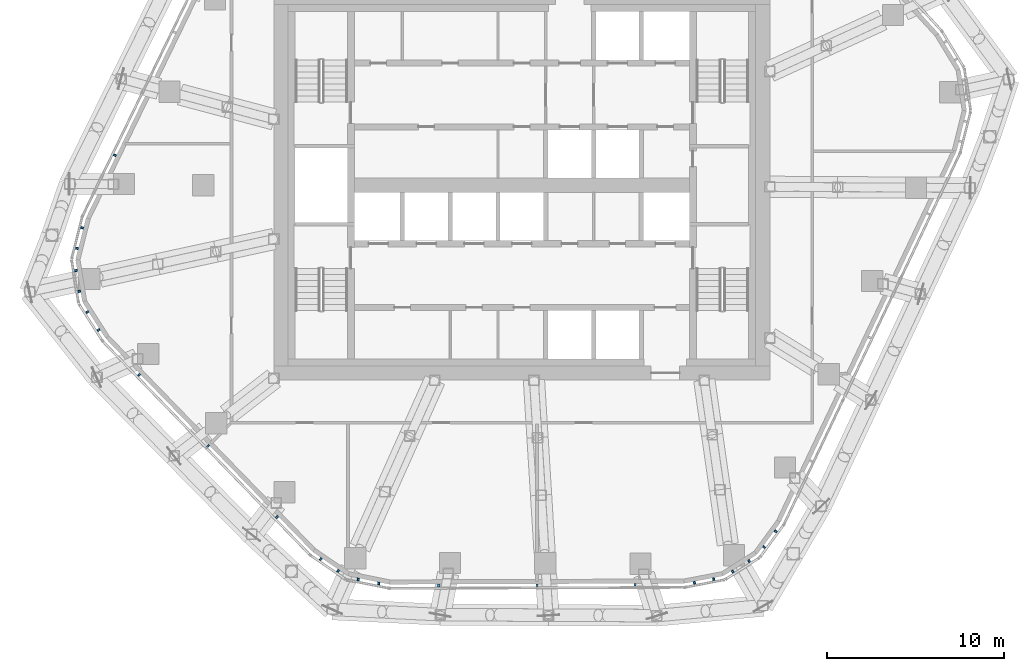
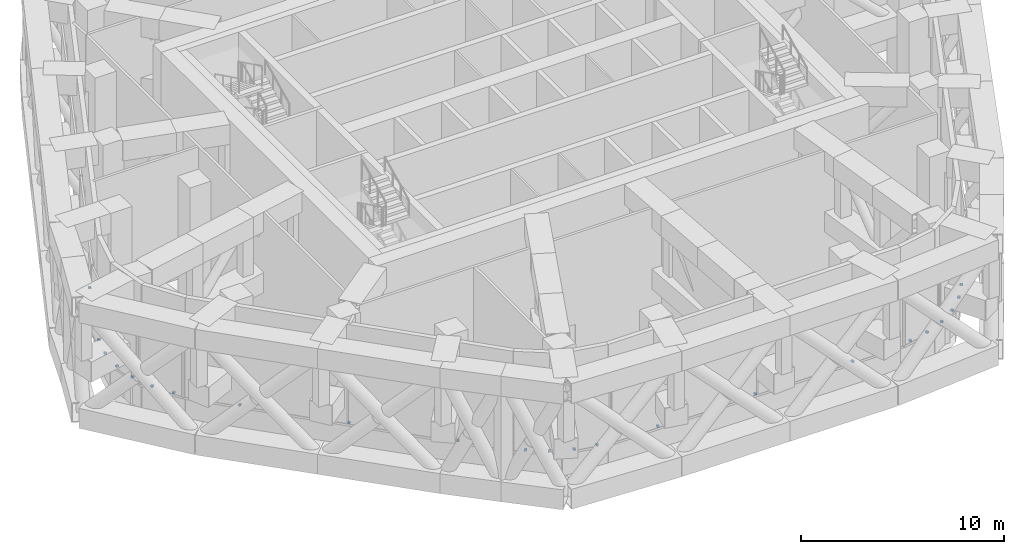
# One storey, part 15 of 21: 23 discrete accessories, 6 elements without a shape of their own.
"""IFC4 building model written with IfcOpenShell, lengths in metres."""

from ifc_helpers import new_model, si_unit, direction, frame, origin, origin_2d, place, context, subcontext, project, spatial, rectangle, extrude, material, layer, layer_set, type_object, element, aggregate, save


model = new_model("IFC4")

# Units and contexts
model_context = context("Model", 3, precision=1e-05, world=origin(), true_north=direction((0.0, 1.0)))
body_context = subcontext(model_context, "Body", "Model", "MODEL_VIEW")
ifc_project = project(units=[si_unit("LENGTHUNIT", "METRE"), si_unit("AREAUNIT", "SQUARE_METRE"), si_unit("VOLUMEUNIT", "CUBIC_METRE"), si_unit("PLANEANGLEUNIT", "RADIAN"), si_unit("MASSUNIT", "GRAM", prefix="KILO")], contexts=[model_context])

# Site, building, storey
site_placement = place(None, origin())
site = spatial("IfcSite", under=ifc_project, at=site_placement, CompositionType="ELEMENT")
building_placement = place(site_placement, origin())
building = spatial("IfcBuilding", under=site, at=building_placement, Name="Dongbaek Canopy Tower", CompositionType="ELEMENT")
storey_placement = place(building_placement, frame((0.0, 0.0, 220.60009765625)))
storey = spatial("IfcBuildingStorey", under=building, at=storey_placement, Name="L46", CompositionType="ELEMENT", Elevation=220.60009765625)

# Curtain wall, discrete accessory
ifc_material_1 = material(Name="Aluminium 6063-T6 pale anodised", Category="aluminium")
ifc_layer = layer(ifc_material_1, 0.14990234375)
ifc_layer_set = layer_set([ifc_layer], Name="CW-7 louvre curtain wall")
curtain_wall_type = type_object("IfcCurtainWallType", Name="CW-7 louvre curtain wall", PredefinedType="NOTDEFINED", material=ifc_layer_set)
curtain_wall_1_placement = place(storey_placement, origin())
curtain_wall_1 = element("IfcCurtainWall", 1, at=curtain_wall_1_placement, inside=storey, type_object=curtain_wall_type, Name="CW-7 louvre wall L46 F2", PredefinedType="NOTDEFINED")
ifc_material_2 = material(Name="Galvanised steel S355 bracket", Category="steel")
discrete_accessory_type = type_object("IfcDiscreteAccessoryType", Name="Louvre bracket BR1", PredefinedType="BRACKET", material=ifc_material_2)
discrete_accessory_1_placement = place(storey_placement, frame((-22.982421875, 1.69287109375, 1.664794921875), z_axis=(0.0, 0.0, 1.0), x_axis=(-0.436767146018, -0.899574599552, 0.0)))
discrete_accessory_1 = element("IfcDiscreteAccessory", 2, at=discrete_accessory_1_placement, type_object=discrete_accessory_type, Name="Louvre bracket L46 F2.1.3", PredefinedType="BRACKET", context=body_context, shape_type="SweptSolid", body=[
    extrude(rectangle(XDim=0.1201171875, YDim=0.14990234375, at=origin_2d()), origin(), (0.0, 0.0, 1.0), 0.10009765625),
])
aggregate(curtain_wall_1, [discrete_accessory_1])

# Curtain wall, discrete accessories
curtain_wall_2_placement = place(storey_placement, origin())
curtain_wall_2 = element("IfcCurtainWall", 3, at=curtain_wall_2_placement, inside=storey, type_object=curtain_wall_type, Name="CW-7 louvre wall L46 K3", PredefinedType="NOTDEFINED")
discrete_accessory_2_placement = place(storey_placement, frame((-24.830322265625, -2.400146484375, 1.664794921875), z_axis=(0.0, 0.0, 1.0), x_axis=(-0.245743178216, -0.969334973247, 0.0)))
discrete_accessory_2 = element("IfcDiscreteAccessory", 4, at=discrete_accessory_2_placement, type_object=discrete_accessory_type, Name="Louvre bracket L46 K3.1.1", PredefinedType="BRACKET", context=body_context, shape_type="SweptSolid", body=[
    extrude(rectangle(XDim=0.1201171875, YDim=0.14990234375, at=origin_2d()), origin(), (0.0, 0.0, 1.0), 0.10009765625),
])
discrete_accessory_3_placement = place(storey_placement, frame((-25.125, -3.56201171875, 1.664794921875), z_axis=(0.0, 0.0, 1.0), x_axis=(-0.245743178216, -0.969334973247, 0.0)))
discrete_accessory_3 = element("IfcDiscreteAccessory", 5, at=discrete_accessory_3_placement, type_object=discrete_accessory_type, Name="Louvre bracket L46 K3.1.2", PredefinedType="BRACKET", context=body_context, shape_type="SweptSolid", body=[
    extrude(rectangle(XDim=0.1201171875, YDim=0.14990234375, at=origin_2d()), origin(), (0.0, 0.0, 1.0), 0.10009765625),
])
discrete_accessory_4_placement = place(storey_placement, frame((-25.18115234375, -4.812744140625, 1.664794921875), z_axis=(0.0, 0.0, 1.0), x_axis=(0.158473685908, -0.987363201094, 0.0)))
discrete_accessory_4 = element("IfcDiscreteAccessory", 6, at=discrete_accessory_4_placement, type_object=discrete_accessory_type, Name="Louvre bracket L46 K3.2.1", PredefinedType="BRACKET", context=body_context, shape_type="SweptSolid", body=[
    extrude(rectangle(XDim=0.1201171875, YDim=0.14990234375, at=origin_2d()), origin(), (0.0, 0.0, 1.0), 0.10009765625),
])
discrete_accessory_5_placement = place(storey_placement, frame((-24.9921875, -5.99072265625, 1.664794921875), z_axis=(0.0, 0.0, 1.0), x_axis=(0.158473685908, -0.987363201094, 0.0)))
discrete_accessory_5 = element("IfcDiscreteAccessory", 7, at=discrete_accessory_5_placement, type_object=discrete_accessory_type, Name="Louvre bracket L46 K3.2.2", PredefinedType="BRACKET", context=body_context, shape_type="SweptSolid", body=[
    extrude(rectangle(XDim=0.1201171875, YDim=0.14990234375, at=origin_2d()), origin(), (0.0, 0.0, 1.0), 0.10009765625),
])
discrete_accessory_6_placement = place(storey_placement, frame((-24.547119140625, -7.1611328125, 1.664794921875), z_axis=(0.0, 0.0, 1.0), x_axis=(0.536745826074, -0.843743988537, 0.0)))
discrete_accessory_6 = element("IfcDiscreteAccessory", 8, at=discrete_accessory_6_placement, type_object=discrete_accessory_type, Name="Louvre bracket L46 K3.3.1", PredefinedType="BRACKET", context=body_context, shape_type="SweptSolid", body=[
    extrude(rectangle(XDim=0.1201171875, YDim=0.14990234375, at=origin_2d()), origin(), (0.0, 0.0, 1.0), 0.10009765625),
])
discrete_accessory_7_placement = place(storey_placement, frame((-23.904052734375, -8.172119140625, 1.664794921875), z_axis=(0.0, 0.0, 1.0), x_axis=(0.536745826074, -0.843743988537, 0.0)))
discrete_accessory_7 = element("IfcDiscreteAccessory", 9, at=discrete_accessory_7_placement, type_object=discrete_accessory_type, Name="Louvre bracket L46 K3.3.2", PredefinedType="BRACKET", context=body_context, shape_type="SweptSolid", body=[
    extrude(rectangle(XDim=0.1201171875, YDim=0.14990234375, at=origin_2d()), origin(), (0.0, 0.0, 1.0), 0.10009765625),
])
aggregate(curtain_wall_2, [discrete_accessory_2, discrete_accessory_3, discrete_accessory_4, discrete_accessory_5, discrete_accessory_6, discrete_accessory_7])

curtain_wall_3_placement = place(storey_placement, origin())
curtain_wall_3 = element("IfcCurtainWall", 10, at=curtain_wall_3_placement, inside=storey, type_object=curtain_wall_type, Name="CW-7 louvre wall L46 F3", PredefinedType="NOTDEFINED")
discrete_accessory_8_placement = place(storey_placement, frame((-21.610595703125, -10.716064453125, 1.664794921875), z_axis=(0.0, 0.0, 1.0), x_axis=(0.696344113915, -0.717708070886, 0.0)))
discrete_accessory_8 = element("IfcDiscreteAccessory", 11, at=discrete_accessory_8_placement, type_object=discrete_accessory_type, Name="Louvre bracket L46 F3.1.1", PredefinedType="BRACKET", context=body_context, shape_type="SweptSolid", body=[
    extrude(rectangle(XDim=0.1201171875, YDim=0.14990234375, at=origin_2d()), origin(), (0.0, 0.0, 1.0), 0.10009765625),
])
discrete_accessory_9_placement = place(storey_placement, frame((-17.7177734375, -14.728271484375, 1.664794921875), z_axis=(0.0, 0.0, 1.0), x_axis=(0.696344113915, -0.717708070886, 0.0)))
discrete_accessory_9 = element("IfcDiscreteAccessory", 12, at=discrete_accessory_9_placement, type_object=discrete_accessory_type, Name="Louvre bracket L46 F3.1.2", PredefinedType="BRACKET", context=body_context, shape_type="SweptSolid", body=[
    extrude(rectangle(XDim=0.1201171875, YDim=0.14990234375, at=origin_2d()), origin(), (0.0, 0.0, 1.0), 0.10009765625),
])
discrete_accessory_10_placement = place(storey_placement, frame((-13.82470703125, -18.74072265625, 1.664794921875), z_axis=(0.0, 0.0, 1.0), x_axis=(0.696344113915, -0.717708070886, 0.0)))
discrete_accessory_10 = element("IfcDiscreteAccessory", 13, at=discrete_accessory_10_placement, type_object=discrete_accessory_type, Name="Louvre bracket L46 F3.1.3", PredefinedType="BRACKET", context=body_context, shape_type="SweptSolid", body=[
    extrude(rectangle(XDim=0.1201171875, YDim=0.14990234375, at=origin_2d()), origin(), (0.0, 0.0, 1.0), 0.10009765625),
])
aggregate(curtain_wall_3, [discrete_accessory_8, discrete_accessory_9, discrete_accessory_10])

curtain_wall_4_placement = place(storey_placement, origin())
curtain_wall_4 = element("IfcCurtainWall", 14, at=curtain_wall_4_placement, inside=storey, type_object=curtain_wall_type, Name="CW-7 louvre wall L46 K4", PredefinedType="NOTDEFINED")
discrete_accessory_11_placement = place(storey_placement, frame((-11.359619140625, -21.1064453125, 1.664794921875), z_axis=(0.0, 0.0, 1.0), x_axis=(0.825559931255, -0.564314451264, 0.0)))
discrete_accessory_11 = element("IfcDiscreteAccessory", 15, at=discrete_accessory_11_placement, type_object=discrete_accessory_type, Name="Louvre bracket L46 K4.1.1", PredefinedType="BRACKET", context=body_context, shape_type="SweptSolid", body=[
    extrude(rectangle(XDim=0.1201171875, YDim=0.14990234375, at=origin_2d()), origin(), (0.0, 0.0, 1.0), 0.10009765625),
])
discrete_accessory_12_placement = place(storey_placement, frame((-10.3837890625, -21.7734375, 1.664794921875), z_axis=(0.0, 0.0, 1.0), x_axis=(0.825559931255, -0.564314451264, 0.0)))
discrete_accessory_12 = element("IfcDiscreteAccessory", 16, at=discrete_accessory_12_placement, type_object=discrete_accessory_type, Name="Louvre bracket L46 K4.1.2", PredefinedType="BRACKET", context=body_context, shape_type="SweptSolid", body=[
    extrude(rectangle(XDim=0.1201171875, YDim=0.14990234375, at=origin_2d()), origin(), (0.0, 0.0, 1.0), 0.10009765625),
])
discrete_accessory_13_placement = place(storey_placement, frame((-9.24267578125, -22.254150390625, 1.664794921875), z_axis=(0.0, 0.0, 1.0), x_axis=(0.98050183526, -0.196509926089, 0.0)))
discrete_accessory_13 = element("IfcDiscreteAccessory", 17, at=discrete_accessory_13_placement, type_object=discrete_accessory_type, Name="Louvre bracket L46 K4.2.1", PredefinedType="BRACKET", context=body_context, shape_type="SweptSolid", body=[
    extrude(rectangle(XDim=0.1201171875, YDim=0.14990234375, at=origin_2d()), origin(), (0.0, 0.0, 1.0), 0.10009765625),
])
discrete_accessory_14_placement = place(storey_placement, frame((-8.08349609375, -22.486328125, 1.664794921875), z_axis=(0.0, 0.0, 1.0), x_axis=(0.98050183526, -0.196509926089, 0.0)))
discrete_accessory_14 = element("IfcDiscreteAccessory", 18, at=discrete_accessory_14_placement, type_object=discrete_accessory_type, Name="Louvre bracket L46 K4.2.2", PredefinedType="BRACKET", context=body_context, shape_type="SweptSolid", body=[
    extrude(rectangle(XDim=0.1201171875, YDim=0.14990234375, at=origin_2d()), origin(), (0.0, 0.0, 1.0), 0.10009765625),
])
aggregate(curtain_wall_4, [discrete_accessory_11, discrete_accessory_12, discrete_accessory_13, discrete_accessory_14])

curtain_wall_5_placement = place(storey_placement, origin())
curtain_wall_5 = element("IfcCurtainWall", 19, at=curtain_wall_5_placement, inside=storey, type_object=curtain_wall_type, Name="CW-7 louvre wall L46 F4", PredefinedType="NOTDEFINED")
discrete_accessory_15_placement = place(storey_placement, frame((-4.6923828125, -22.597900390625, 1.664794921875), z_axis=(0.0, 0.0, 1.0), x_axis=(0.999995177758, 0.003105553262, 0.0)))
discrete_accessory_15 = element("IfcDiscreteAccessory", 20, at=discrete_accessory_15_placement, type_object=discrete_accessory_type, Name="Louvre bracket L46 F4.1.1", PredefinedType="BRACKET", context=body_context, shape_type="SweptSolid", body=[
    extrude(rectangle(XDim=0.1201171875, YDim=0.14990234375, at=origin_2d()), origin(), (0.0, 0.0, 1.0), 0.10009765625),
])
discrete_accessory_16_placement = place(storey_placement, frame((0.851318359375, -22.58056640625, 1.664794921875), z_axis=(0.0, 0.0, 1.0), x_axis=(0.999995177758, 0.003105553262, 0.0)))
discrete_accessory_16 = element("IfcDiscreteAccessory", 21, at=discrete_accessory_16_placement, type_object=discrete_accessory_type, Name="Louvre bracket L46 F4.1.2", PredefinedType="BRACKET", context=body_context, shape_type="SweptSolid", body=[
    extrude(rectangle(XDim=0.1201171875, YDim=0.14990234375, at=origin_2d()), origin(), (0.0, 0.0, 1.0), 0.10009765625),
])
discrete_accessory_17_placement = place(storey_placement, frame((6.394775390625, -22.5634765625, 1.664794921875), z_axis=(0.0, 0.0, 1.0), x_axis=(0.999995177758, 0.003105553262, 0.0)))
discrete_accessory_17 = element("IfcDiscreteAccessory", 22, at=discrete_accessory_17_placement, type_object=discrete_accessory_type, Name="Louvre bracket L46 F4.1.3", PredefinedType="BRACKET", context=body_context, shape_type="SweptSolid", body=[
    extrude(rectangle(XDim=0.1201171875, YDim=0.14990234375, at=origin_2d()), origin(), (0.0, 0.0, 1.0), 0.10009765625),
])
aggregate(curtain_wall_5, [discrete_accessory_15, discrete_accessory_16, discrete_accessory_17])

curtain_wall_6_placement = place(storey_placement, origin())
curtain_wall_6 = element("IfcCurtainWall", 23, at=curtain_wall_6_placement, inside=storey, type_object=curtain_wall_type, Name="CW-7 louvre wall L46 K5", PredefinedType="NOTDEFINED")
discrete_accessory_18_placement = place(storey_placement, frame((9.745849609375, -22.446533203125, 1.664794921875), z_axis=(0.0, 0.0, 1.0), x_axis=(0.981895731476, 0.189422207011, 0.0)))
discrete_accessory_18 = element("IfcDiscreteAccessory", 24, at=discrete_accessory_18_placement, type_object=discrete_accessory_type, Name="Louvre bracket L46 K5.1.1", PredefinedType="BRACKET", context=body_context, shape_type="SweptSolid", body=[
    extrude(rectangle(XDim=0.1201171875, YDim=0.14990234375, at=origin_2d()), origin(), (0.0, 0.0, 1.0), 0.10009765625),
])
discrete_accessory_19_placement = place(storey_placement, frame((10.829833984375, -22.237548828125, 1.664794921875), z_axis=(0.0, 0.0, 1.0), x_axis=(0.981895731476, 0.189422207011, 0.0)))
discrete_accessory_19 = element("IfcDiscreteAccessory", 25, at=discrete_accessory_19_placement, type_object=discrete_accessory_type, Name="Louvre bracket L46 K5.1.2", PredefinedType="BRACKET", context=body_context, shape_type="SweptSolid", body=[
    extrude(rectangle(XDim=0.1201171875, YDim=0.14990234375, at=origin_2d()), origin(), (0.0, 0.0, 1.0), 0.10009765625),
])
discrete_accessory_20_placement = place(storey_placement, frame((11.9052734375, -21.810791015625, 1.664794921875), z_axis=(0.0, 0.0, 1.0), x_axis=(0.844315490886, 0.535846388296, 0.0)))
discrete_accessory_20 = element("IfcDiscreteAccessory", 26, at=discrete_accessory_20_placement, type_object=discrete_accessory_type, Name="Louvre bracket L46 K5.2.1", PredefinedType="BRACKET", context=body_context, shape_type="SweptSolid", body=[
    extrude(rectangle(XDim=0.1201171875, YDim=0.14990234375, at=origin_2d()), origin(), (0.0, 0.0, 1.0), 0.10009765625),
])
discrete_accessory_21_placement = place(storey_placement, frame((12.83349609375, -21.221923828125, 1.664794921875), z_axis=(0.0, 0.0, 1.0), x_axis=(0.844315490886, 0.535846388296, 0.0)))
discrete_accessory_21 = element("IfcDiscreteAccessory", 27, at=discrete_accessory_21_placement, type_object=discrete_accessory_type, Name="Louvre bracket L46 K5.2.2", PredefinedType="BRACKET", context=body_context, shape_type="SweptSolid", body=[
    extrude(rectangle(XDim=0.1201171875, YDim=0.14990234375, at=origin_2d()), origin(), (0.0, 0.0, 1.0), 0.10009765625),
])
discrete_accessory_22_placement = place(storey_placement, frame((13.67724609375, -20.430419921875, 1.664794921875), z_axis=(0.0, 0.0, 1.0), x_axis=(0.589427714231, 0.807821124814, 0.0)))
discrete_accessory_22 = element("IfcDiscreteAccessory", 28, at=discrete_accessory_22_placement, type_object=discrete_accessory_type, Name="Louvre bracket L46 K5.3.1", PredefinedType="BRACKET", context=body_context, shape_type="SweptSolid", body=[
    extrude(rectangle(XDim=0.1201171875, YDim=0.14990234375, at=origin_2d()), origin(), (0.0, 0.0, 1.0), 0.10009765625),
])
discrete_accessory_23_placement = place(storey_placement, frame((14.328125, -19.53857421875, 1.664794921875), z_axis=(0.0, 0.0, 1.0), x_axis=(0.589427714231, 0.807821124814, 0.0)))
discrete_accessory_23 = element("IfcDiscreteAccessory", 29, at=discrete_accessory_23_placement, type_object=discrete_accessory_type, Name="Louvre bracket L46 K5.3.2", PredefinedType="BRACKET", context=body_context, shape_type="SweptSolid", body=[
    extrude(rectangle(XDim=0.1201171875, YDim=0.14990234375, at=origin_2d()), origin(), (0.0, 0.0, 1.0), 0.10009765625),
])
aggregate(curtain_wall_6, [discrete_accessory_18, discrete_accessory_19, discrete_accessory_20, discrete_accessory_21, discrete_accessory_22, discrete_accessory_23])

save(model, "model.ifc")
